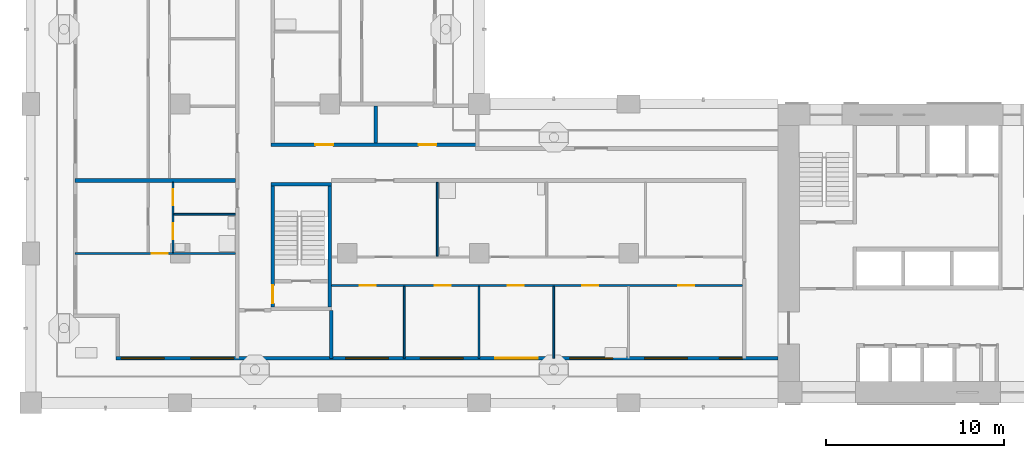
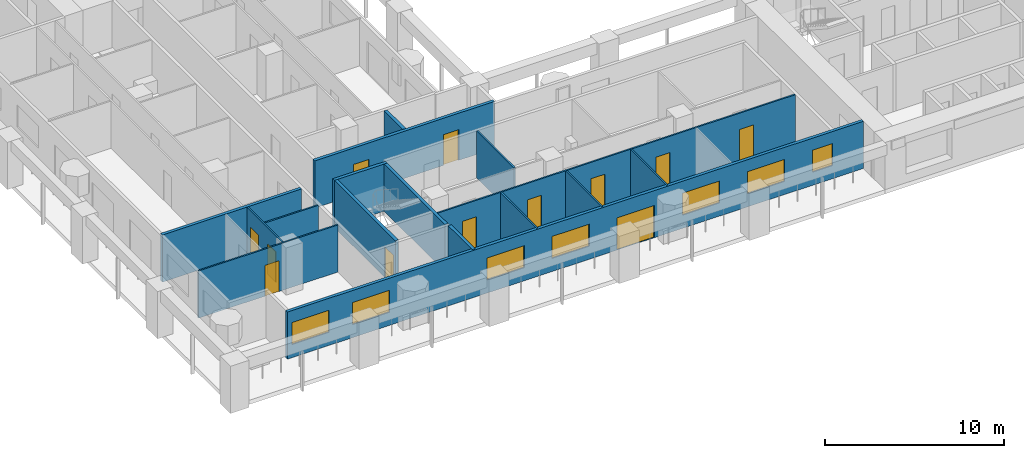
# One storey, part 2 of 18: 16 walls, 12 doors, 7 windows, 19 openings.
"""IFC4 building model written with IfcOpenShell, lengths in metres."""

from ifc_helpers import new_model, si_unit, direction, frame, frame_2d, origin, place, context, subcontext, project, spatial, rectangle, extrude, material, layer, layer_set, type_object, element, fill, save


model = new_model("IFC4")

# Units and contexts
model_context = context("Model", 3, precision=1e-05, world=origin(), true_north=direction((0.0, 1.0)))
body_context = subcontext(model_context, "Body", "Model", "MODEL_VIEW")
ifc_project = project(units=[si_unit("LENGTHUNIT", "METRE"), si_unit("AREAUNIT", "SQUARE_METRE"), si_unit("VOLUMEUNIT", "CUBIC_METRE"), si_unit("PLANEANGLEUNIT", "RADIAN"), si_unit("MASSUNIT", "GRAM", prefix="KILO")], contexts=[model_context])

# Site, building, storey
site_placement = place(None, origin())
site = spatial("IfcSite", under=ifc_project, at=site_placement, CompositionType="ELEMENT")
building_placement = place(site_placement, origin())
building = spatial("IfcBuilding", under=site, at=building_placement, Name="Vermilion Gate Residences", CompositionType="ELEMENT")
storey_placement = place(building_placement, frame((0.0, 0.0, 109.199951171875)))
storey = spatial("IfcBuildingStorey", under=building, at=storey_placement, Name="L27", CompositionType="ELEMENT", Elevation=109.199951171875)

# Wall, openings, door, windows
ifc_material_1 = material(Name="Insulated steel stud wall with terracotta rainscreen", Category="masonry")
ifc_layer_1 = layer(ifc_material_1, 0.199951171875)
ifc_layer_set_1 = layer_set([ifc_layer_1], Name="EXTERNAL WALL 200 TERRACOTTA RAINSCREEN")
wall_type_1 = type_object("IfcWallType", Name="EXTERNAL WALL 200 TERRACOTTA RAINSCREEN", PredefinedType="SOLIDWALL", material=ifc_layer_set_1)
wall_1_placement = place(storey_placement, frame((4.800048828125, 10.89990234375, 0.0), z_axis=(0.0, 0.0, 1.0), x_axis=(1.0, 0.0, 0.0)))
wall_1 = element("IfcWall", 1, at=wall_1_placement, inside=storey, type_object=wall_type_1, Name="External wall", PredefinedType="SOLIDWALL", context=body_context, shape_type="SweptSolid", body=[
    extrude(rectangle(XDim=37.199951171875, YDim=0.199951171875, at=frame_2d((18.60009765625, 0.0))), origin(), (0.0, 0.0, 1.0), 3.219970703125),
])
opening_1_placement = place(wall_1_placement, frame((0.300048828125, 0.0, 0.89990234375)))
opening_1 = element("IfcOpeningElement", 2, at=opening_1_placement, cuts=wall_1, Name="Opening WE27012", PredefinedType="OPENING", context=body_context, shape_type="SweptSolid", body=[
    extrude(rectangle(XDim=2.39990234375, YDim=1.5, at=frame_2d((1.199951171875, 0.75))), frame((0.0, 0.10986328125, 0.0), z_axis=(0.0, -1.0, 0.0), x_axis=(1.0, 0.0, 0.0)), (0.0, 0.0, 1.0), 0.219970703125),
])
opening_2_placement = place(wall_1_placement, frame((4.199951171875, 0.0, 0.89990234375)))
opening_2 = element("IfcOpeningElement", 3, at=opening_2_placement, cuts=wall_1, Name="Opening WE27013", PredefinedType="OPENING", context=body_context, shape_type="SweptSolid", body=[
    extrude(rectangle(XDim=2.39990234375, YDim=1.5, at=frame_2d((1.199951171875, 0.75))), frame((0.0, 0.10986328125, 0.0), z_axis=(0.0, -1.0, 0.0), x_axis=(1.0, 0.0, 0.0)), (0.0, 0.0, 1.0), 0.219970703125),
])
opening_3_placement = place(wall_1_placement, frame((12.89990234375, 0.0, 0.89990234375)))
opening_3 = element("IfcOpeningElement", 4, at=opening_3_placement, cuts=wall_1, Name="Opening WE27014", PredefinedType="OPENING", context=body_context, shape_type="SweptSolid", body=[
    extrude(rectangle(XDim=2.39990234375, YDim=1.5, at=frame_2d((1.199951171875, 0.75))), frame((0.0, 0.10986328125, 0.0), z_axis=(0.0, -1.0, 0.0), x_axis=(1.0, 0.0, 0.0)), (0.0, 0.0, 1.0), 0.219970703125),
])
opening_4_placement = place(wall_1_placement, frame((17.10009765625, 0.0, 0.89990234375)))
opening_4 = element("IfcOpeningElement", 5, at=opening_4_placement, cuts=wall_1, Name="Opening WE27015", PredefinedType="OPENING", context=body_context, shape_type="SweptSolid", body=[
    extrude(rectangle(XDim=2.39990234375, YDim=1.5, at=frame_2d((1.199951171875, 0.75))), frame((0.0, 0.10986328125, 0.0), z_axis=(0.0, -1.0, 0.0), x_axis=(1.0, 0.0, 0.0)), (0.0, 0.0, 1.0), 0.219970703125),
])
opening_5_placement = place(wall_1_placement, frame((21.300048828125, 0.0, 0.0)))
opening_5 = element("IfcOpeningElement", 6, at=opening_5_placement, cuts=wall_1, Name="Opening DE27016", PredefinedType="OPENING", context=body_context, shape_type="SweptSolid", body=[
    extrude(rectangle(XDim=2.39990234375, YDim=2.199951171875, at=frame_2d((1.199951171875, 1.10009765625))), frame((0.0, 0.10986328125, 0.0), z_axis=(0.0, -1.0, 0.0), x_axis=(1.0, 0.0, 0.0)), (0.0, 0.0, 1.0), 0.219970703125),
])
opening_6_placement = place(wall_1_placement, frame((25.5, 0.0, 0.89990234375)))
opening_6 = element("IfcOpeningElement", 7, at=opening_6_placement, cuts=wall_1, Name="Opening WE27017", PredefinedType="OPENING", context=body_context, shape_type="SweptSolid", body=[
    extrude(rectangle(XDim=2.39990234375, YDim=1.5, at=frame_2d((1.199951171875, 0.75))), frame((0.0, 0.10986328125, 0.0), z_axis=(0.0, -1.0, 0.0), x_axis=(1.0, 0.0, 0.0)), (0.0, 0.0, 1.0), 0.219970703125),
])
opening_7_placement = place(wall_1_placement, frame((29.699951171875, 0.0, 0.89990234375)))
opening_7 = element("IfcOpeningElement", 8, at=opening_7_placement, cuts=wall_1, Name="Opening WE27018", PredefinedType="OPENING", context=body_context, shape_type="SweptSolid", body=[
    extrude(rectangle(XDim=2.39990234375, YDim=1.5, at=frame_2d((1.199951171875, 0.75))), frame((0.0, 0.10986328125, 0.0), z_axis=(0.0, -1.0, 0.0), x_axis=(1.0, 0.0, 0.0)), (0.0, 0.0, 1.0), 0.219970703125),
])
opening_8_placement = place(wall_1_placement, frame((33.89990234375, 0.0, 0.89990234375)))
opening_8 = element("IfcOpeningElement", 9, at=opening_8_placement, cuts=wall_1, Name="Opening WE27019", PredefinedType="OPENING", context=body_context, shape_type="SweptSolid", body=[
    extrude(rectangle(XDim=1.300048828125, YDim=1.5, at=frame_2d((0.64990234375, 0.75))), frame((0.0, 0.10986328125, 0.0), z_axis=(0.0, -1.0, 0.0), x_axis=(1.0, 0.0, 0.0)), (0.0, 0.0, 1.0), 0.219970703125),
])
ifc_material_2 = material(Name="Aluminium and clear glass", Category="aluminium")
door_type_1 = type_object("IfcDoorType", Name="SLIDING GLAZED DOOR 2400 X 2200", OperationType="DOUBLE_DOOR_SLIDING", PredefinedType="DOOR", material=ifc_material_2)
door_1_placement = place(opening_5_placement, origin())
door_1 = element("IfcDoor", 10, at=door_1_placement, inside=storey, type_object=door_type_1, Name="Loggia sliding door", OperationType="DOUBLE_DOOR_SLIDING", OverallHeight=2.199951171875, OverallWidth=2.39990234375, PredefinedType="DOOR", context=body_context, shape_type="SweptSolid", body=[
    extrude(rectangle(XDim=2.39990234375, YDim=2.199951171875, at=frame_2d((1.199951171875, 1.10009765625))), frame((0.0, 0.02490234375, 0.0), z_axis=(0.0, -1.0, 0.0), x_axis=(1.0, 0.0, 0.0)), (0.0, 0.0, 1.0), 0.050048828125),
])
fill(opening_5, door_1)
ifc_material_3 = material(Name="Aluminium and clear glass", Category="aluminium")
window_type_1 = type_object("IfcWindowType", Name="WINDOW 1300 X 1500", PartitioningType="SINGLE_PANEL", PredefinedType="WINDOW", material=ifc_material_3)
window_1_placement = place(opening_8_placement, origin())
window_1 = element("IfcWindow", 11, at=window_1_placement, inside=storey, type_object=window_type_1, Name="Window", OverallHeight=1.5, OverallWidth=1.300048828125, PartitioningType="SINGLE_PANEL", PredefinedType="WINDOW", context=body_context, shape_type="SweptSolid", body=[
    extrude(rectangle(XDim=1.300048828125, YDim=1.5, at=frame_2d((0.64990234375, 0.75))), frame((0.0, 0.030029296875, 0.0), z_axis=(0.0, -1.0, 0.0), x_axis=(1.0, 0.0, 0.0)), (0.0, 0.0, 1.0), 0.06005859375),
])
fill(opening_8, window_1)
ifc_material_4 = material(Name="Aluminium and clear glass", Category="aluminium")
window_type_2 = type_object("IfcWindowType", Name="WINDOW 2400 X 1500", PartitioningType="SINGLE_PANEL", PredefinedType="WINDOW", material=ifc_material_4)
window_2_placement = place(opening_1_placement, origin())
window_2 = element("IfcWindow", 12, at=window_2_placement, inside=storey, type_object=window_type_2, Name="Window", OverallHeight=1.5, OverallWidth=2.39990234375, PartitioningType="SINGLE_PANEL", PredefinedType="WINDOW", context=body_context, shape_type="SweptSolid", body=[
    extrude(rectangle(XDim=2.39990234375, YDim=1.5, at=frame_2d((1.199951171875, 0.75))), frame((0.0, 0.030029296875, 0.0), z_axis=(0.0, -1.0, 0.0), x_axis=(1.0, 0.0, 0.0)), (0.0, 0.0, 1.0), 0.06005859375),
])
fill(opening_1, window_2)
window_3_placement = place(opening_2_placement, origin())
window_3 = element("IfcWindow", 13, at=window_3_placement, inside=storey, type_object=window_type_2, Name="Window", OverallHeight=1.5, OverallWidth=2.39990234375, PartitioningType="SINGLE_PANEL", PredefinedType="WINDOW", context=body_context, shape_type="SweptSolid", body=[
    extrude(rectangle(XDim=2.39990234375, YDim=1.5, at=frame_2d((1.199951171875, 0.75))), frame((0.0, 0.030029296875, 0.0), z_axis=(0.0, -1.0, 0.0), x_axis=(1.0, 0.0, 0.0)), (0.0, 0.0, 1.0), 0.06005859375),
])
fill(opening_2, window_3)
window_4_placement = place(opening_3_placement, origin())
window_4 = element("IfcWindow", 14, at=window_4_placement, inside=storey, type_object=window_type_2, Name="Window", OverallHeight=1.5, OverallWidth=2.39990234375, PartitioningType="SINGLE_PANEL", PredefinedType="WINDOW", context=body_context, shape_type="SweptSolid", body=[
    extrude(rectangle(XDim=2.39990234375, YDim=1.5, at=frame_2d((1.199951171875, 0.75))), frame((0.0, 0.030029296875, 0.0), z_axis=(0.0, -1.0, 0.0), x_axis=(1.0, 0.0, 0.0)), (0.0, 0.0, 1.0), 0.06005859375),
])
fill(opening_3, window_4)
window_5_placement = place(opening_4_placement, origin())
window_5 = element("IfcWindow", 15, at=window_5_placement, inside=storey, type_object=window_type_2, Name="Window", OverallHeight=1.5, OverallWidth=2.39990234375, PartitioningType="SINGLE_PANEL", PredefinedType="WINDOW", context=body_context, shape_type="SweptSolid", body=[
    extrude(rectangle(XDim=2.39990234375, YDim=1.5, at=frame_2d((1.199951171875, 0.75))), frame((0.0, 0.030029296875, 0.0), z_axis=(0.0, -1.0, 0.0), x_axis=(1.0, 0.0, 0.0)), (0.0, 0.0, 1.0), 0.06005859375),
])
fill(opening_4, window_5)
window_6_placement = place(opening_6_placement, origin())
window_6 = element("IfcWindow", 16, at=window_6_placement, inside=storey, type_object=window_type_2, Name="Window", OverallHeight=1.5, OverallWidth=2.39990234375, PartitioningType="SINGLE_PANEL", PredefinedType="WINDOW", context=body_context, shape_type="SweptSolid", body=[
    extrude(rectangle(XDim=2.39990234375, YDim=1.5, at=frame_2d((1.199951171875, 0.75))), frame((0.0, 0.030029296875, 0.0), z_axis=(0.0, -1.0, 0.0), x_axis=(1.0, 0.0, 0.0)), (0.0, 0.0, 1.0), 0.06005859375),
])
fill(opening_6, window_6)
window_7_placement = place(opening_7_placement, origin())
window_7 = element("IfcWindow", 17, at=window_7_placement, inside=storey, type_object=window_type_2, Name="Window", OverallHeight=1.5, OverallWidth=2.39990234375, PartitioningType="SINGLE_PANEL", PredefinedType="WINDOW", context=body_context, shape_type="SweptSolid", body=[
    extrude(rectangle(XDim=2.39990234375, YDim=1.5, at=frame_2d((1.199951171875, 0.75))), frame((0.0, 0.030029296875, 0.0), z_axis=(0.0, -1.0, 0.0), x_axis=(1.0, 0.0, 0.0)), (0.0, 0.0, 1.0), 0.06005859375),
])
fill(opening_7, window_7)

# Wall, openings, doors
ifc_material_5 = material(Name="Plasterboard on steel studs", Category="steel")
ifc_layer_2 = layer(ifc_material_5, 0.10009765625)
ifc_layer_set_2 = layer_set([ifc_layer_2], Name="PARTITION 100")
wall_type_2 = type_object("IfcWallType", Name="PARTITION 100", PredefinedType="PARTITIONING", material=ifc_layer_set_2)
wall_2_placement = place(storey_placement, frame((16.89990234375, 15.0, 0.0), z_axis=(0.0, 0.0, 1.0), x_axis=(1.0, 0.0, 0.0)))
wall_2 = element("IfcWall", 18, at=wall_2_placement, inside=storey, type_object=wall_type_2, Name="Partition", PredefinedType="PARTITIONING", context=body_context, shape_type="SweptSolid", body=[
    extrude(rectangle(XDim=23.10009765625, YDim=0.10009765625, at=frame_2d((11.550048828125, 0.0))), origin(), (0.0, 0.0, 1.0), 3.219970703125),
])
opening_9_placement = place(wall_2_placement, frame((1.60009765625, 0.0, 0.0)))
opening_9 = element("IfcOpeningElement", 19, at=opening_9_placement, cuts=wall_2, Name="Opening DA25002", PredefinedType="OPENING", context=body_context, shape_type="SweptSolid", body=[
    extrude(rectangle(XDim=0.89990234375, YDim=2.10009765625, at=frame_2d((0.449951171875, 1.050048828125))), frame((0.0, 0.06005859375, 0.0), z_axis=(0.0, -1.0, 0.0), x_axis=(1.0, 0.0, 0.0)), (0.0, 0.0, 1.0), 0.1201171875),
])
opening_10_placement = place(wall_2_placement, frame((5.800048828125, 0.0, 0.0)))
opening_10 = element("IfcOpeningElement", 20, at=opening_10_placement, cuts=wall_2, Name="Opening DA25003", PredefinedType="OPENING", context=body_context, shape_type="SweptSolid", body=[
    extrude(rectangle(XDim=0.89990234375, YDim=2.10009765625, at=frame_2d((0.449951171875, 1.050048828125))), frame((0.0, 0.06005859375, 0.0), z_axis=(0.0, -1.0, 0.0), x_axis=(1.0, 0.0, 0.0)), (0.0, 0.0, 1.0), 0.1201171875),
])
opening_11_placement = place(wall_2_placement, frame((9.89990234375, 0.0, 0.0)))
opening_11 = element("IfcOpeningElement", 21, at=opening_11_placement, cuts=wall_2, Name="Opening DA25004", PredefinedType="OPENING", context=body_context, shape_type="SweptSolid", body=[
    extrude(rectangle(XDim=0.89990234375, YDim=2.10009765625, at=frame_2d((0.449951171875, 1.050048828125))), frame((0.0, 0.06005859375, 0.0), z_axis=(0.0, -1.0, 0.0), x_axis=(1.0, 0.0, 0.0)), (0.0, 0.0, 1.0), 0.1201171875),
])
opening_12_placement = place(wall_2_placement, frame((14.10009765625, 0.0, 0.0)))
opening_12 = element("IfcOpeningElement", 22, at=opening_12_placement, cuts=wall_2, Name="Opening DA25005", PredefinedType="OPENING", context=body_context, shape_type="SweptSolid", body=[
    extrude(rectangle(XDim=0.89990234375, YDim=2.10009765625, at=frame_2d((0.449951171875, 1.050048828125))), frame((0.0, 0.06005859375, 0.0), z_axis=(0.0, -1.0, 0.0), x_axis=(1.0, 0.0, 0.0)), (0.0, 0.0, 1.0), 0.1201171875),
])
opening_13_placement = place(wall_2_placement, frame((19.5, 0.0, 0.0)))
opening_13 = element("IfcOpeningElement", 23, at=opening_13_placement, cuts=wall_2, Name="Opening DA25006", PredefinedType="OPENING", context=body_context, shape_type="SweptSolid", body=[
    extrude(rectangle(XDim=0.89990234375, YDim=2.10009765625, at=frame_2d((0.449951171875, 1.050048828125))), frame((0.0, 0.06005859375, 0.0), z_axis=(0.0, -1.0, 0.0), x_axis=(1.0, 0.0, 0.0)), (0.0, 0.0, 1.0), 0.1201171875),
])
ifc_material_6 = material(Name="Timber", Category="wood")
door_type_2 = type_object("IfcDoorType", Name="INTERIOR DOOR 900 X 2100", OperationType="SINGLE_SWING_LEFT", PredefinedType="DOOR", material=ifc_material_6)
door_2_placement = place(opening_9_placement, frame((0.89990234375, 0.0, 0.0), z_axis=(0.0, 0.0, 1.0), x_axis=(-1.0, 0.0, 0.0)))
door_2 = element("IfcDoor", 24, at=door_2_placement, inside=storey, type_object=door_type_2, Name="Interior door", OperationType="SINGLE_SWING_LEFT", OverallHeight=2.10009765625, OverallWidth=0.89990234375, PredefinedType="DOOR", context=body_context, shape_type="SweptSolid", body=[
    extrude(rectangle(XDim=0.89990234375, YDim=2.10009765625, at=frame_2d((0.449951171875, 1.050048828125))), frame((0.0, 0.02490234375, 0.0), z_axis=(0.0, -1.0, 0.0), x_axis=(1.0, 0.0, 0.0)), (0.0, 0.0, 1.0), 0.050048828125),
])
fill(opening_9, door_2)
door_3_placement = place(opening_10_placement, frame((0.89990234375, 0.0, 0.0), z_axis=(0.0, 0.0, 1.0), x_axis=(-1.0, 0.0, 0.0)))
door_3 = element("IfcDoor", 25, at=door_3_placement, inside=storey, type_object=door_type_2, Name="Interior door", OperationType="SINGLE_SWING_LEFT", OverallHeight=2.10009765625, OverallWidth=0.89990234375, PredefinedType="DOOR", context=body_context, shape_type="SweptSolid", body=[
    extrude(rectangle(XDim=0.89990234375, YDim=2.10009765625, at=frame_2d((0.449951171875, 1.050048828125))), frame((0.0, 0.02490234375, 0.0), z_axis=(0.0, -1.0, 0.0), x_axis=(1.0, 0.0, 0.0)), (0.0, 0.0, 1.0), 0.050048828125),
])
fill(opening_10, door_3)
door_4_placement = place(opening_11_placement, frame((0.89990234375, 0.0, 0.0), z_axis=(0.0, 0.0, 1.0), x_axis=(-1.0, 0.0, 0.0)))
door_4 = element("IfcDoor", 26, at=door_4_placement, inside=storey, type_object=door_type_2, Name="Interior door", OperationType="SINGLE_SWING_RIGHT", OverallHeight=2.10009765625, OverallWidth=0.89990234375, PredefinedType="DOOR", context=body_context, shape_type="SweptSolid", body=[
    extrude(rectangle(XDim=0.89990234375, YDim=2.10009765625, at=frame_2d((0.449951171875, 1.050048828125))), frame((0.0, 0.02490234375, 0.0), z_axis=(0.0, -1.0, 0.0), x_axis=(1.0, 0.0, 0.0)), (0.0, 0.0, 1.0), 0.050048828125),
])
fill(opening_11, door_4)
door_5_placement = place(opening_12_placement, frame((0.89990234375, 0.0, 0.0), z_axis=(0.0, 0.0, 1.0), x_axis=(-1.0, 0.0, 0.0)))
door_5 = element("IfcDoor", 27, at=door_5_placement, inside=storey, type_object=door_type_2, Name="Interior door", OperationType="SINGLE_SWING_RIGHT", OverallHeight=2.10009765625, OverallWidth=0.89990234375, PredefinedType="DOOR", context=body_context, shape_type="SweptSolid", body=[
    extrude(rectangle(XDim=0.89990234375, YDim=2.10009765625, at=frame_2d((0.449951171875, 1.050048828125))), frame((0.0, 0.02490234375, 0.0), z_axis=(0.0, -1.0, 0.0), x_axis=(1.0, 0.0, 0.0)), (0.0, 0.0, 1.0), 0.050048828125),
])
fill(opening_12, door_5)
door_6_placement = place(opening_13_placement, frame((0.89990234375, 0.0, 0.0), z_axis=(0.0, 0.0, 1.0), x_axis=(-1.0, 0.0, 0.0)))
door_6 = element("IfcDoor", 28, at=door_6_placement, inside=storey, type_object=door_type_2, Name="Interior door", OperationType="SINGLE_SWING_LEFT", OverallHeight=2.10009765625, OverallWidth=0.89990234375, PredefinedType="DOOR", context=body_context, shape_type="SweptSolid", body=[
    extrude(rectangle(XDim=0.89990234375, YDim=2.10009765625, at=frame_2d((0.449951171875, 1.050048828125))), frame((0.0, 0.02490234375, 0.0), z_axis=(0.0, -1.0, 0.0), x_axis=(1.0, 0.0, 0.0)), (0.0, 0.0, 1.0), 0.050048828125),
])
fill(opening_13, door_6)

# Wall, opening, door
wall_3_placement = place(storey_placement, frame((2.5, 16.800048828125, 0.0), z_axis=(0.0, 0.0, 1.0), x_axis=(1.0, 0.0, 0.0)))
wall_3 = element("IfcWall", 29, at=wall_3_placement, inside=storey, type_object=wall_type_2, Name="Partition", PredefinedType="PARTITIONING", context=body_context, shape_type="SweptSolid", body=[
    extrude(rectangle(XDim=9.0, YDim=0.10009765625, at=frame_2d((4.5, 0.0))), origin(), (0.0, 0.0, 1.0), 3.219970703125),
])
opening_14_placement = place(wall_3_placement, frame((4.300048828125, 0.0, 0.0)))
opening_14 = element("IfcOpeningElement", 30, at=opening_14_placement, cuts=wall_3, Name="Opening DA25011", PredefinedType="OPENING", context=body_context, shape_type="SweptSolid", body=[
    extrude(rectangle(XDim=0.89990234375, YDim=2.10009765625, at=frame_2d((0.449951171875, 1.050048828125))), frame((0.0, 0.06005859375, 0.0), z_axis=(0.0, -1.0, 0.0), x_axis=(1.0, 0.0, 0.0)), (0.0, 0.0, 1.0), 0.1201171875),
])
door_7_placement = place(opening_14_placement, frame((0.89990234375, 0.0, 0.0), z_axis=(0.0, 0.0, 1.0), x_axis=(-1.0, 0.0, 0.0)))
door_7 = element("IfcDoor", 31, at=door_7_placement, inside=storey, type_object=door_type_2, Name="Interior door", OperationType="SINGLE_SWING_LEFT", OverallHeight=2.10009765625, OverallWidth=0.89990234375, PredefinedType="DOOR", context=body_context, shape_type="SweptSolid", body=[
    extrude(rectangle(XDim=0.89990234375, YDim=2.10009765625, at=frame_2d((0.449951171875, 1.050048828125))), frame((0.0, 0.02490234375, 0.0), z_axis=(0.0, -1.0, 0.0), x_axis=(1.0, 0.0, 0.0)), (0.0, 0.0, 1.0), 0.050048828125),
])
fill(opening_14, door_7)

# Wall
wall_4_placement = place(storey_placement, frame((8.050048828125, 19.0, 0.0), z_axis=(0.0, 0.0, 1.0), x_axis=(1.0, 0.0, 0.0)))
element("IfcWall", 32, at=wall_4_placement, inside=storey, type_object=wall_type_2, Name="Partition", PredefinedType="PARTITIONING", context=body_context, shape_type="SweptSolid", body=[
    extrude(rectangle(XDim=3.449951171875, YDim=0.10009765625, at=frame_2d((1.72509765625, 0.0))), origin(), (0.0, 0.0, 1.0), 3.219970703125),
])

# Wall, openings, doors
wall_5_placement = place(storey_placement, frame((8.0, 16.85009765625, 0.0), z_axis=(0.0, 0.0, 1.0), x_axis=(0.0, 1.0, 0.0)))
wall_5 = element("IfcWall", 33, at=wall_5_placement, inside=storey, type_object=wall_type_2, Name="Partition", PredefinedType="PARTITIONING", context=body_context, shape_type="SweptSolid", body=[
    extrude(rectangle(XDim=3.949951171875, YDim=0.10009765625, at=frame_2d((1.97509765625, 0.0))), origin(), (0.0, 0.0, 1.0), 3.219970703125),
])
opening_15_placement = place(wall_5_placement, frame((2.64990234375, 0.0, 0.0)))
opening_15 = element("IfcOpeningElement", 34, at=opening_15_placement, cuts=wall_5, Name="Opening DA25029", PredefinedType="OPENING", context=body_context, shape_type="SweptSolid", body=[
    extrude(rectangle(XDim=0.89990234375, YDim=2.10009765625, at=frame_2d((0.449951171875, 1.050048828125))), frame((0.0, 0.06005859375, 0.0), z_axis=(0.0, -1.0, 0.0), x_axis=(1.0, 0.0, 0.0)), (0.0, 0.0, 1.0), 0.1201171875),
])
opening_16_placement = place(wall_5_placement, frame((0.75, 0.0, 0.0)))
opening_16 = element("IfcOpeningElement", 35, at=opening_16_placement, cuts=wall_5, Name="Opening DA25030", PredefinedType="OPENING", context=body_context, shape_type="SweptSolid", body=[
    extrude(rectangle(XDim=0.89990234375, YDim=2.10009765625, at=frame_2d((0.449951171875, 1.050048828125))), frame((0.0, 0.06005859375, 0.0), z_axis=(0.0, -1.0, 0.0), x_axis=(1.0, 0.0, 0.0)), (0.0, 0.0, 1.0), 0.1201171875),
])
door_8_placement = place(opening_15_placement, origin())
door_8 = element("IfcDoor", 36, at=door_8_placement, inside=storey, type_object=door_type_2, Name="Interior door", OperationType="SINGLE_SWING_RIGHT", OverallHeight=2.10009765625, OverallWidth=0.89990234375, PredefinedType="DOOR", context=body_context, shape_type="SweptSolid", body=[
    extrude(rectangle(XDim=0.89990234375, YDim=2.10009765625, at=frame_2d((0.449951171875, 1.050048828125))), frame((0.0, 0.02490234375, 0.0), z_axis=(0.0, -1.0, 0.0), x_axis=(1.0, 0.0, 0.0)), (0.0, 0.0, 1.0), 0.050048828125),
])
fill(opening_15, door_8)
door_9_placement = place(opening_16_placement, frame((0.89990234375, 0.0, 0.0), z_axis=(0.0, 0.0, 1.0), x_axis=(-1.0, 0.0, 0.0)))
door_9 = element("IfcDoor", 37, at=door_9_placement, inside=storey, type_object=door_type_2, Name="Interior door", OperationType="SINGLE_SWING_RIGHT", OverallHeight=2.10009765625, OverallWidth=0.89990234375, PredefinedType="DOOR", context=body_context, shape_type="SweptSolid", body=[
    extrude(rectangle(XDim=0.89990234375, YDim=2.10009765625, at=frame_2d((0.449951171875, 1.050048828125))), frame((0.0, 0.02490234375, 0.0), z_axis=(0.0, -1.0, 0.0), x_axis=(1.0, 0.0, 0.0)), (0.0, 0.0, 1.0), 0.050048828125),
])
fill(opening_16, door_9)

# Walls
wall_6_placement = place(storey_placement, frame((21.0, 10.89990234375, 0.0), z_axis=(0.0, 0.0, 1.0), x_axis=(0.0, 1.0, 0.0)))
element("IfcWall", 38, at=wall_6_placement, inside=storey, type_object=wall_type_2, Name="Partition", PredefinedType="PARTITIONING", context=body_context, shape_type="SweptSolid", body=[
    extrude(rectangle(XDim=4.050048828125, YDim=0.10009765625, at=frame_2d((2.02490234375, 0.0))), origin(), (0.0, 0.0, 1.0), 3.219970703125),
])
wall_7_placement = place(storey_placement, frame((22.85009765625, 16.64990234375, 0.0), z_axis=(0.0, 0.0, 1.0), x_axis=(0.0, 1.0, 0.0)))
element("IfcWall", 39, at=wall_7_placement, inside=storey, type_object=wall_type_2, Name="Partition", PredefinedType="PARTITIONING", context=body_context, shape_type="SweptSolid", body=[
    extrude(rectangle(XDim=4.150146484375, YDim=0.10009765625, at=frame_2d((2.0751953125, 0.0))), origin(), (0.0, 0.0, 1.0), 3.219970703125),
])
for number, where, z_axis, x_axis, name in (
    (40, (25.199951171875, 10.89990234375, 0.0), (0.0, 0.0, 1.0), (0.0, 1.0, 0.0), "Partition"),
    (41, (29.39990234375, 10.89990234375, 0.0), (0.0, 0.0, 1.0), (0.0, 1.0, 0.0), "Partition"),
):
    element("IfcWall", number, at=place(storey_placement, frame(where, z_axis=z_axis, x_axis=x_axis)), inside=storey, type_object=wall_type_2, Name=name, PredefinedType="PARTITIONING", context=body_context, shape_type="SweptSolid", body=[
        extrude(rectangle(XDim=4.050048828125, YDim=0.10009765625, at=frame_2d((2.02490234375, 0.0))), origin(), (0.0, 0.0, 1.0), 3.219970703125),
    ])
ifc_material_7 = material(Name="Fire-rated plasterboard on steel studs", Category="steel")
ifc_layer_3 = layer(ifc_material_7, 0.199951171875)
ifc_layer_set_3 = layer_set([ifc_layer_3], Name="PARTY WALL 200 EI 120")
wall_type_3 = type_object("IfcWallType", Name="PARTY WALL 200 EI 120", PredefinedType="PARTITIONING", material=ifc_layer_set_3)
wall_8_placement = place(storey_placement, frame((2.5, 20.89990234375, 0.0), z_axis=(0.0, 0.0, 1.0), x_axis=(1.0, 0.0, 0.0)))
element("IfcWall", 42, at=wall_8_placement, inside=storey, type_object=wall_type_3, Name="Party and corridor wall", PredefinedType="PARTITIONING", context=body_context, shape_type="SweptSolid", body=[
    extrude(rectangle(XDim=9.0, YDim=0.199951171875, at=frame_2d((4.5, 0.0))), origin(), (0.0, 0.0, 1.0), 3.219970703125),
])

# Wall, openings, doors
wall_9_placement = place(storey_placement, frame((13.5, 22.89990234375, 0.0), z_axis=(0.0, 0.0, 1.0), x_axis=(1.0, 0.0, 0.0)))
wall_9 = element("IfcWall", 43, at=wall_9_placement, inside=storey, type_object=wall_type_3, Name="Party and corridor wall", PredefinedType="PARTITIONING", context=body_context, shape_type="SweptSolid", body=[
    extrude(rectangle(XDim=11.60009765625, YDim=0.199951171875, at=frame_2d((5.800048828125, 0.0))), origin(), (0.0, 0.0, 1.0), 3.219970703125),
])
opening_17_placement = place(wall_9_placement, frame((2.5, 0.0, 0.0)))
opening_17 = element("IfcOpeningElement", 44, at=opening_17_placement, cuts=wall_9, Name="Opening DA25013", PredefinedType="OPENING", context=body_context, shape_type="SweptSolid", body=[
    extrude(rectangle(XDim=1.0, YDim=2.10009765625, at=frame_2d((0.5, 1.050048828125))), frame((0.0, 0.10986328125, 0.0), z_axis=(0.0, -1.0, 0.0), x_axis=(1.0, 0.0, 0.0)), (0.0, 0.0, 1.0), 0.219970703125),
])
opening_18_placement = place(wall_9_placement, frame((8.300048828125, 0.0, 0.0)))
opening_18 = element("IfcOpeningElement", 45, at=opening_18_placement, cuts=wall_9, Name="Opening DA25014", PredefinedType="OPENING", context=body_context, shape_type="SweptSolid", body=[
    extrude(rectangle(XDim=1.0, YDim=2.10009765625, at=frame_2d((0.5, 1.050048828125))), frame((0.0, 0.10986328125, 0.0), z_axis=(0.0, -1.0, 0.0), x_axis=(1.0, 0.0, 0.0)), (0.0, 0.0, 1.0), 0.219970703125),
])
ifc_material_8 = material(Name="Steel", Category="steel")
door_type_3 = type_object("IfcDoorType", Name="ENTRANCE DOOR 1000 X 2100 FD30", OperationType="SINGLE_SWING_LEFT", PredefinedType="DOOR", material=ifc_material_8)
door_10_placement = place(opening_17_placement, origin())
door_10 = element("IfcDoor", 46, at=door_10_placement, inside=storey, type_object=door_type_3, Name="Entrance door", OperationType="SINGLE_SWING_RIGHT", OverallHeight=2.10009765625, OverallWidth=1.0, PredefinedType="DOOR", context=body_context, shape_type="SweptSolid", body=[
    extrude(rectangle(XDim=1.0, YDim=2.10009765625, at=frame_2d((0.5, 1.050048828125))), frame((0.0, 0.02490234375, 0.0), z_axis=(0.0, -1.0, 0.0), x_axis=(1.0, 0.0, 0.0)), (0.0, 0.0, 1.0), 0.050048828125),
])
fill(opening_17, door_10)
door_11_placement = place(opening_18_placement, origin())
door_11 = element("IfcDoor", 47, at=door_11_placement, inside=storey, type_object=door_type_3, Name="Entrance door", OperationType="SINGLE_SWING_RIGHT", OverallHeight=2.10009765625, OverallWidth=1.0, PredefinedType="DOOR", context=body_context, shape_type="SweptSolid", body=[
    extrude(rectangle(XDim=1.0, YDim=2.10009765625, at=frame_2d((0.5, 1.050048828125))), frame((0.0, 0.02490234375, 0.0), z_axis=(0.0, -1.0, 0.0), x_axis=(1.0, 0.0, 0.0)), (0.0, 0.0, 1.0), 0.050048828125),
])
fill(opening_18, door_11)

# Walls
wall_10_placement = place(storey_placement, frame((16.89990234375, 10.89990234375, 0.0), z_axis=(0.0, 0.0, 1.0), x_axis=(0.0, 1.0, 0.0)))
element("IfcWall", 48, at=wall_10_placement, inside=storey, type_object=wall_type_3, Name="Party and corridor wall", PredefinedType="PARTITIONING", context=body_context, shape_type="SweptSolid", body=[
    extrude(rectangle(XDim=2.7001953125, YDim=0.199951171875, at=frame_2d((1.35009765625, 0.0))), origin(), (0.0, 0.0, 1.0), 3.219970703125),
])
wall_11_placement = place(storey_placement, frame((19.39990234375, 23.0, 0.0), z_axis=(0.0, 0.0, 1.0), x_axis=(0.0, 1.0, 0.0)))
element("IfcWall", 49, at=wall_11_placement, inside=storey, type_object=wall_type_3, Name="Party and corridor wall", PredefinedType="PARTITIONING", context=body_context, shape_type="SweptSolid", body=[
    extrude(rectangle(XDim=2.10009765625, YDim=0.199951171875, at=frame_2d((1.050048828125, 0.0))), origin(), (0.0, 0.0, 1.0), 3.219970703125),
])

# Wall, opening, door
ifc_material_9 = material(Name="Concrete C60", Category="concrete")
ifc_layer_4 = layer(ifc_material_9, 0.199951171875)
ifc_layer_set_4 = layer_set([ifc_layer_4], Name="RC CORE INTERNAL WALL 200 C60")
wall_type_4 = type_object("IfcWallType", Name="RC CORE INTERNAL WALL 200 C60", PredefinedType="SHEAR", material=ifc_layer_set_4)
wall_12_placement = place(storey_placement, frame((13.60009765625, 13.800048828125, 0.0), z_axis=(0.0, 0.0, 1.0), x_axis=(0.0, 1.0, 0.0)))
wall_12 = element("IfcWall", 50, at=wall_12_placement, inside=storey, type_object=wall_type_4, Name="Core internal wall C27-W", PredefinedType="SHEAR", context=body_context, shape_type="SweptSolid", body=[
    extrude(rectangle(XDim=6.800048828125, YDim=0.199951171875, at=frame_2d((3.39990234375, 0.0))), origin(), (0.0, 0.0, 1.0), 3.219970703125),
])
opening_19_placement = place(wall_12_placement, frame((0.199951171875, 0.0, 0.0)))
opening_19 = element("IfcOpeningElement", 51, at=opening_19_placement, cuts=wall_12, Name="Opening DK27201", PredefinedType="OPENING", context=body_context, shape_type="SweptSolid", body=[
    extrude(rectangle(XDim=1.0, YDim=2.10009765625, at=frame_2d((0.5, 1.050048828125))), frame((0.0, 0.10986328125, 0.0), z_axis=(0.0, -1.0, 0.0), x_axis=(1.0, 0.0, 0.0)), (0.0, 0.0, 1.0), 0.219970703125),
])
ifc_material_10 = material(Name="Steel", Category="steel")
door_type_4 = type_object("IfcDoorType", Name="FIRE DOOR FD60 1000 X 2100", OperationType="SINGLE_SWING_LEFT", PredefinedType="DOOR", material=ifc_material_10)
door_12_placement = place(opening_19_placement, frame((1.0, 0.0, 0.0), z_axis=(0.0, 0.0, 1.0), x_axis=(-1.0, 0.0, 0.0)))
door_12 = element("IfcDoor", 52, at=door_12_placement, inside=storey, type_object=door_type_4, Name="Stair vestibule door C27", OperationType="SINGLE_SWING_LEFT", OverallHeight=2.10009765625, OverallWidth=1.0, PredefinedType="DOOR", context=body_context, shape_type="SweptSolid", body=[
    extrude(rectangle(XDim=1.0, YDim=2.10009765625, at=frame_2d((0.5, 1.050048828125))), frame((0.0, 0.02490234375, 0.0), z_axis=(0.0, -1.0, 0.0), x_axis=(1.0, 0.0, 0.0)), (0.0, 0.0, 1.0), 0.050048828125),
])
fill(opening_19, door_12)

# Walls
wall_13_placement = place(storey_placement, frame((16.800048828125, 13.800048828125, 0.0), z_axis=(0.0, 0.0, 1.0), x_axis=(0.0, 1.0, 0.0)))
element("IfcWall", 53, at=wall_13_placement, inside=storey, type_object=wall_type_4, Name="Core internal wall C27-E", PredefinedType="SHEAR", context=body_context, shape_type="SweptSolid", body=[
    extrude(rectangle(XDim=6.800048828125, YDim=0.199951171875, at=frame_2d((3.39990234375, 0.0))), origin(), (0.0, 0.0, 1.0), 3.219970703125),
])
wall_14_placement = place(storey_placement, frame((13.5, 20.699951171875, 0.0), z_axis=(0.0, 0.0, 1.0), x_axis=(1.0, 0.0, 0.0)))
element("IfcWall", 54, at=wall_14_placement, inside=storey, type_object=wall_type_4, Name="Core internal wall C27-N", PredefinedType="SHEAR", context=body_context, shape_type="SweptSolid", body=[
    extrude(rectangle(XDim=3.39990234375, YDim=0.199951171875, at=frame_2d((1.699951171875, 0.0))), origin(), (0.0, 0.0, 1.0), 3.219970703125),
])

save(model, "model.ifc")
